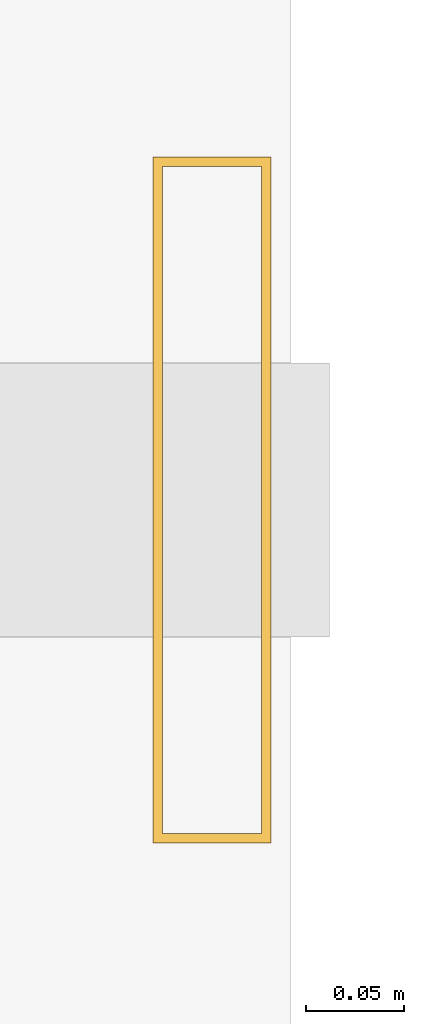
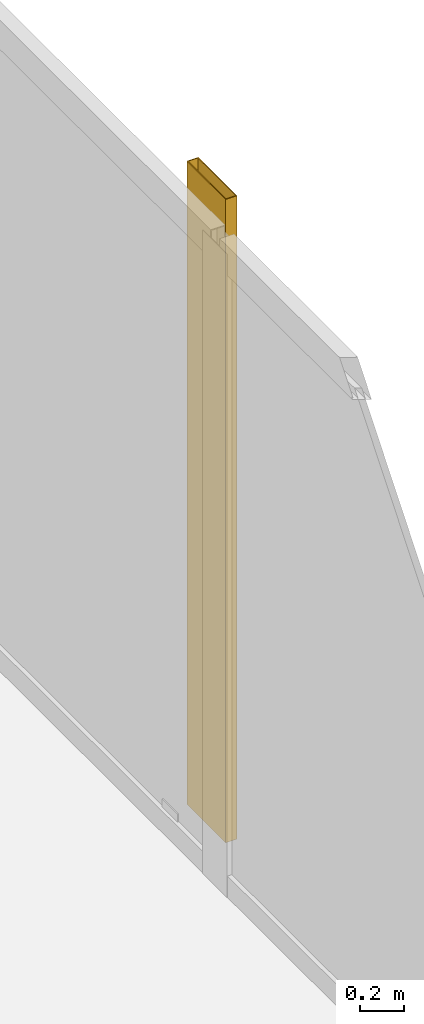
# One storey, part 27 of 27: 1 shading device.
"""IFC4 building model written with IfcOpenShell, lengths in metres."""

import ifcopenshell
import ifcopenshell.guid

model = None  # the IFC model being written
_history = None  # IfcOwnerHistory: only IFC2X3 demands one
_inside = {}  # id of a spatial element -> (the spatial element, [elements in it])
_under = {}  # id of a project, library or spatial element -> (it, [spatial elements below it])
_declared = {}  # id of a project -> (the project, [libraries it declares])
_typed = {}  # id of a type object -> (the type object, [elements of that type])
_made_of = {}  # id of a material, layer set ... -> (it, [elements and type objects made of it])


def new_model(schema):
    """Start an empty IFC model of exactly this schema.

    Asked for "IFC4X3", IfcOpenShell would pick the latest addendum, in which some entities
    have other attributes; the version numbers below select the first issue.
    IFC2X3 requires an IfcOwnerHistory on every rooted entity: one is made here for all.
    """
    global model, _history
    if schema == "IFC4X3":
        model = ifcopenshell.file(schema_version=(4, 3, 0, 0))
    else:
        model = ifcopenshell.file(schema=schema)
    _inside.clear()
    _under.clear()
    _declared.clear()
    _typed.clear()
    _made_of.clear()
    _history = None
    if model.schema == "IFC2X3":
        org = make("IfcOrganization", Name="unknown")
        user = make(
            "IfcPersonAndOrganization",
            ThePerson=make("IfcPerson", FamilyName="unknown"),
            TheOrganization=org,
        )
        app = make(
            "IfcApplication",
            ApplicationDeveloper=org,
            Version="unknown",
            ApplicationFullName="unknown",
            ApplicationIdentifier="unknown",
        )
        _history = make(
            "IfcOwnerHistory",
            OwningUser=user,
            OwningApplication=app,
            ChangeAction="ADDED",
            CreationDate=0,
        )
    return model


def make(cls, **values):
    """One entity of the class cls with the attributes given. An attribute that is None is left unset."""
    return model.create_entity(
        cls, **{name: value for name, value in values.items() if value is not None}
    )


def rooted(cls, **values):
    """An entity with a GlobalId (a new one), such as an element, a storey or a relation."""
    return make(cls, GlobalId=ifcopenshell.guid.new(), OwnerHistory=_history, **values)


def si_unit(unit_type, name, prefix=None):
    """IfcSIUnit, for example si_unit("LENGTHUNIT", "METRE", prefix="MILLI")."""
    return make("IfcSIUnit", UnitType=unit_type, Prefix=prefix, Name=name)


def assignment(units):
    """IfcUnitAssignment: the units of a project."""
    return None if units is None else make("IfcUnitAssignment", Units=units)


def point(xyz):
    """IfcCartesianPoint."""
    return None if xyz is None else make("IfcCartesianPoint", Coordinates=xyz)


def direction(xyz):
    """IfcDirection."""
    return None if xyz is None else make("IfcDirection", DirectionRatios=xyz)


def frame(location, z_axis=None, x_axis=None):
    """IfcAxis2Placement3D, a coordinate frame: its origin and axes. An axis left out is left unset."""
    return make(
        "IfcAxis2Placement3D",
        Location=point(location),
        Axis=direction(z_axis),
        RefDirection=direction(x_axis),
    )


def frame_2d(location, x_axis=None):
    """IfcAxis2Placement2D, a coordinate frame in the plane: its origin and x axis."""
    return make(
        "IfcAxis2Placement2D", Location=point(location), RefDirection=direction(x_axis)
    )


def origin():
    """The frame at (0, 0, 0) with its axes left unset."""
    return frame((0.0, 0.0, 0.0))


def origin_2d():
    """The frame at (0, 0) in the plane with its x axis left unset."""
    return frame_2d((0.0, 0.0))


def place(relative_to, where):
    """IfcLocalPlacement: puts the frame where relative to a parent placement (None: the world)."""
    return make(
        "IfcLocalPlacement", PlacementRelTo=relative_to, RelativePlacement=where
    )


def context(
    kind, dimensions, precision=None, world=None, true_north=None, identifier=None
):
    """IfcGeometricRepresentationContext, for example the 3D "Model" context."""
    return make(
        "IfcGeometricRepresentationContext",
        ContextIdentifier=identifier,
        ContextType=kind,
        CoordinateSpaceDimension=dimensions,
        Precision=precision,
        WorldCoordinateSystem=world,
        TrueNorth=true_north,
    )


def subcontext(parent, identifier, kind, view, scale=None):
    """IfcGeometricRepresentationSubContext, for example "Body" below "Model"."""
    return make(
        "IfcGeometricRepresentationSubContext",
        ContextIdentifier=identifier,
        ContextType=kind,
        ParentContext=parent,
        TargetScale=scale,
        TargetView=view,
    )


def project(units=None, contexts=None):
    """IfcProject with its units and contexts."""
    return rooted(
        "IfcProject",
        Name="project",
        RepresentationContexts=contexts,
        UnitsInContext=assignment(units),
    )


def spatial(cls, under=None, at=None, **own):
    """A site, building, storey or space (cls), placed at a placement, below another one or the project."""
    s = rooted(cls, ObjectPlacement=at, **own)
    if under is not None:
        _under.setdefault(under.id(), (under, []))[1].append(s)
    return s


def profile(cls, at=None, kind="AREA", **sizes):
    """A parametric profile (cls). Its sizes go by their IFC names, for example OverallWidth=200.0."""
    return make(cls, ProfileType=kind, Position=at, **sizes)


def hollow_rectangle(**sizes):
    """IfcRectangleHollowProfileDef."""
    return profile("IfcRectangleHollowProfileDef", **sizes)


def extrude(swept, where, along, depth):
    """IfcExtrudedAreaSolid: the profile swept, set in the frame where, extruded along a direction by depth."""
    return make(
        "IfcExtrudedAreaSolid",
        SweptArea=swept,
        Position=where,
        ExtrudedDirection=direction(along),
        Depth=depth,
    )


def shape(context_of_items, identifier, shape_type, items):
    """IfcShapeRepresentation: the items that make up one representation, for example the "Body"."""
    return make(
        "IfcShapeRepresentation",
        ContextOfItems=context_of_items,
        RepresentationIdentifier=identifier,
        RepresentationType=shape_type,
        Items=items,
    )


def material(Name=None, Category=None):
    """IfcMaterial."""
    return make("IfcMaterial", Name=Name, Category=Category)


def material_profile(
    of_material, cross_section, Name=None, Category=None, Priority=None
):
    """IfcMaterialProfile: a cross section and its material."""
    return make(
        "IfcMaterialProfile",
        Name=Name,
        Material=of_material,
        Profile=cross_section,
        Priority=Priority,
        Category=Category,
    )


def profile_set(profiles, Name=None, composite=None):
    """IfcMaterialProfileSet."""
    return make(
        "IfcMaterialProfileSet",
        Name=Name,
        MaterialProfiles=profiles,
        CompositeProfile=composite,
    )


def made_of(thing, what):
    """Note that an element or type object is made of a material, layer set ...; save() writes the relation."""
    if what is not None:
        _made_of.setdefault(what.id(), (what, []))[1].append(thing)
    return thing


def type_object(cls, material=None, **own):
    """A type object (cls), such as IfcWallType, which elements share."""
    return made_of(rooted(cls, **own), material)


def element(
    cls,
    number,
    at=None,
    inside=None,
    cuts=None,
    type_object=None,
    material=None,
    context=None,
    identifier="Body",
    shape_type=None,
    held_by="IfcProductDefinitionShape",
    body=None,
    shapes=None,
    **own,
):
    """One element of the class cls, such as IfcWall. Its Tag is "e" and its number.

    at: its placement. inside: the storey or other place that contains it. cuts: it is an
    opening in that element (IfcRelVoidsElement). A single representation is given by context,
    identifier, shape_type and body (its items); several are given by shapes. held_by: the class
    of the entity that holds the representations. save() writes the other relations.
    """
    e = rooted(cls, Tag="e%d" % number, ObjectPlacement=at, **own)
    if body is not None:
        shapes = [shape(context, identifier, shape_type, body)]
    if shapes is not None:
        e.Representation = make(held_by, Representations=shapes)
    if inside is not None:
        _inside.setdefault(inside.id(), (inside, []))[1].append(e)
    if cuts is not None:
        rooted(
            "IfcRelVoidsElement", RelatingBuildingElement=cuts, RelatedOpeningElement=e
        )
    if type_object is not None:
        _typed.setdefault(type_object.id(), (type_object, []))[1].append(e)
    return made_of(e, material)


def aggregate(whole, parts):
    """IfcRelAggregates: a whole, such as a stair, and the parts it consists of."""
    return rooted("IfcRelAggregates", RelatingObject=whole, RelatedObjects=parts)


def save(model, path):
    """Write the relations noted so far, then the file.

    IfcRelAggregates (storeys below a building ...), IfcRelContainedInSpatialStructure (elements
    in a storey), IfcRelDefinesByType, IfcRelAssociatesMaterial and IfcRelDeclares: one each for
    every whole, place, type object, material and project.
    """
    for whole, parts in _under.values():
        aggregate(whole, parts)
    for where, things in _inside.values():
        rooted(
            "IfcRelContainedInSpatialStructure",
            RelatedElements=things,
            RelatingStructure=where,
        )
    for kind, things in _typed.values():
        rooted("IfcRelDefinesByType", RelatedObjects=things, RelatingType=kind)
    for what, things in _made_of.values():
        rooted("IfcRelAssociatesMaterial", RelatedObjects=things, RelatingMaterial=what)
    for by, libraries in _declared.values():
        rooted("IfcRelDeclares", RelatingContext=by, RelatedDefinitions=libraries)
    model.write(path)


model = new_model("IFC4")

# Units and contexts
model_context = context("Model", 3, precision=1e-05, world=origin(), true_north=direction((0.0, 1.0)))
body_context = subcontext(model_context, "Body", "Model", "MODEL_VIEW")
ifc_project = project(units=[si_unit("LENGTHUNIT", "METRE"), si_unit("AREAUNIT", "SQUARE_METRE"), si_unit("VOLUMEUNIT", "CUBIC_METRE"), si_unit("PLANEANGLEUNIT", "RADIAN"), si_unit("MASSUNIT", "GRAM", prefix="KILO")], contexts=[model_context])

# Site, building, storey
site_placement = place(None, origin())
site = spatial("IfcSite", under=ifc_project, at=site_placement, CompositionType="ELEMENT")
building_placement = place(site_placement, origin())
building = spatial("IfcBuilding", under=site, at=building_placement, Name="Kolvaren Waterfront Exchange", CompositionType="ELEMENT")
storey_placement = place(building_placement, frame((0.0, 0.0, 60.0)))
storey = spatial("IfcBuildingStorey", under=building, at=storey_placement, Name="L15", CompositionType="ELEMENT", Elevation=60.0)

# Shading device
ifc_material = material(Name="Anodised bronze aluminium 6063-T6", Category="aluminium")
ifc_material_profile = material_profile(ifc_material, hollow_rectangle(XDim=0.06005859375, YDim=0.35009765625, WallThickness=0.0048828125, at=origin_2d()), Name="BRZ-FIN-350x60x5")
ifc_profile_set = profile_set([ifc_material_profile], Name="Anodised bronze aluminium 6063-T6")
shading_device_type = type_object("IfcShadingDeviceType", Name="ARC-FIN-350", PredefinedType="USERDEFINED", material=ifc_profile_set)
shading_device_placement = place(storey_placement, frame((25.56005859375, 36.39990234375, 0.0), z_axis=(0.0, 0.0, 1.0), x_axis=(1.0, 0.0, 0.0)))
element("IfcShadingDevice", 1, at=shading_device_placement, inside=storey, type_object=shading_device_type, Name="L15 anodised bronze solar shading fin FIN-L15-E3", ObjectType="SOLAR FIN", PredefinedType="USERDEFINED", context=body_context, shape_type="SweptSolid", body=[
    extrude(hollow_rectangle(XDim=0.06005859375, YDim=0.35009765625, WallThickness=0.0048828125, at=origin_2d()), origin(), (0.0, 0.0, 1.0), 3.5400390625),
])

save(model, "model.ifc")
